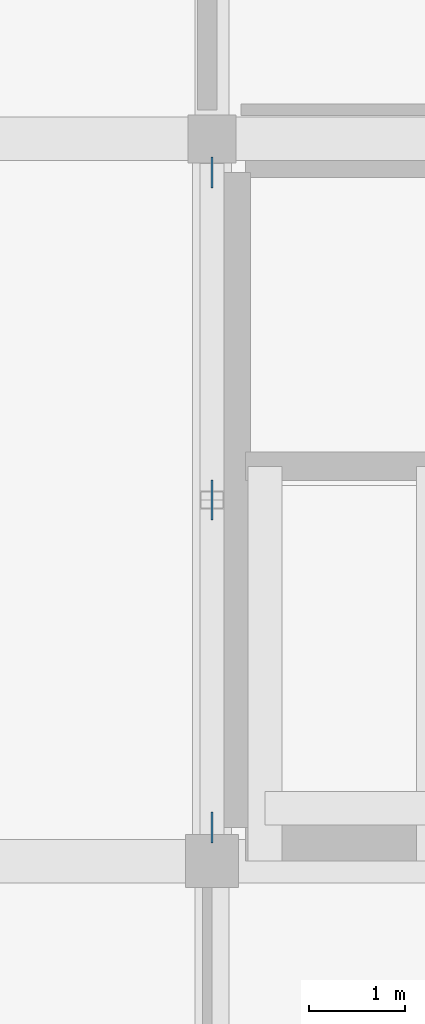
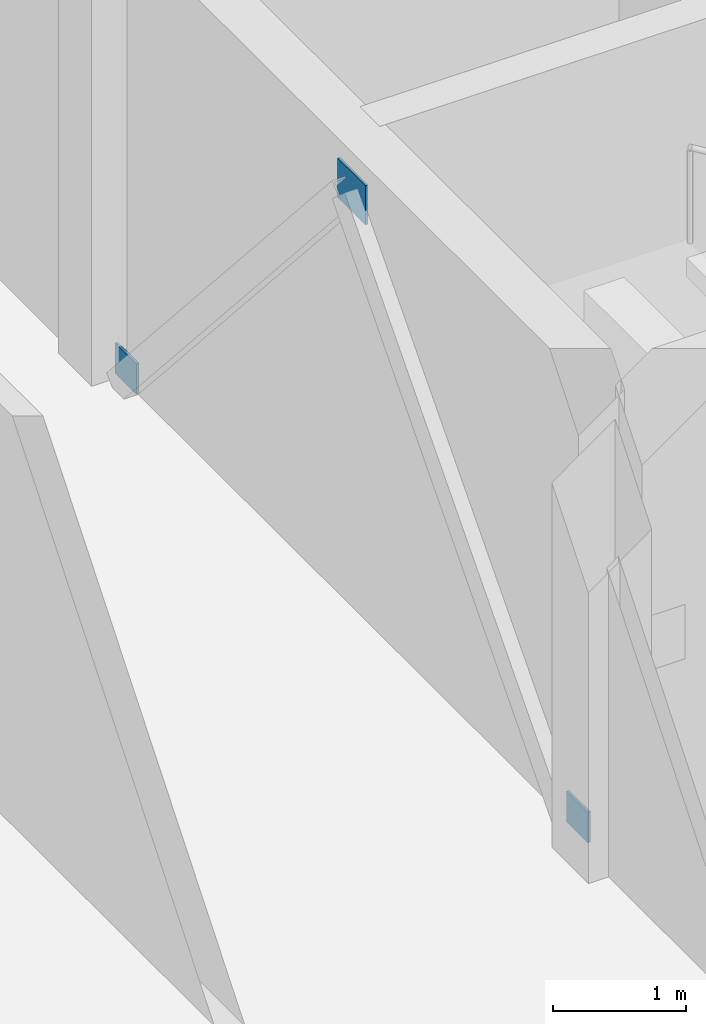
# One storey, part 94 of 128: 3 plates.
"""IFC4 building model written with IfcOpenShell, lengths in metres."""

from ifc_helpers import new_model, si_unit, direction, frame, origin, origin_2d, place, context, subcontext, project, spatial, rectangle, extrude, material, layer, layer_set, type_object, element, save


model = new_model("IFC4")

# Units and contexts
model_context = context("Model", 3, precision=1e-05, world=origin(), true_north=direction((0.0, 1.0)))
body_context = subcontext(model_context, "Body", "Model", "MODEL_VIEW")
ifc_project = project(units=[si_unit("LENGTHUNIT", "METRE"), si_unit("AREAUNIT", "SQUARE_METRE"), si_unit("VOLUMEUNIT", "CUBIC_METRE"), si_unit("PLANEANGLEUNIT", "RADIAN"), si_unit("MASSUNIT", "GRAM", prefix="KILO")], contexts=[model_context])

# Site, building, storey
site_placement = place(None, origin())
site = spatial("IfcSite", under=ifc_project, at=site_placement, CompositionType="ELEMENT")
building_placement = place(site_placement, origin())
building = spatial("IfcBuilding", under=site, at=building_placement, Name="Dalvernix Boulevard General Hospital", CompositionType="ELEMENT")
storey_placement = place(building_placement, frame((0.0, 0.0, 4.800048828125)))
storey = spatial("IfcBuildingStorey", under=building, at=storey_placement, Name="L01", CompositionType="ELEMENT", Elevation=4.800048828125)

# Plates
ifc_material = material(Name="Steel S355", Category="steel")
ifc_layer = layer(ifc_material, 0.031982421875)
ifc_layer_set = layer_set([ifc_layer], Name="Steel S355 (PLT-NP-04)")
plate_type = type_object("IfcPlateType", Name="PLT-NP-04", PredefinedType="SHEET", material=ifc_layer_set)
plate_placement = place(storey_placement, frame((157.5, 42.75, 3.64990234375), z_axis=(0.0, 0.0, 1.0), x_axis=(0.0, 1.0, 0.0)))
element("IfcPlate", 1, at=plate_placement, inside=storey, type_object=plate_type, Name="L01 brace apex gusset plate 3", PredefinedType="SHEET", context=body_context, shape_type="SweptSolid", body=[
    extrude(rectangle(XDim=0.419921875, YDim=0.02392578125, at=origin_2d()), origin(), (0.0, 0.0, 1.0), 0.360107421875),
])
for number, where, z_axis, x_axis, name in (
    (2, (157.5, 39.35009765625, 0.0), (0.0, 0.0, 1.0), (0.0, 1.0, 0.0), "L01 brace base gusset plate 3S"),
    (3, (157.5, 46.14990234375, 0.0), (0.0, 0.0, 1.0), (0.0, 1.0, 0.0), "L01 brace base gusset plate 3N"),
):
    element("IfcPlate", number, at=place(storey_placement, frame(where, z_axis=z_axis, x_axis=x_axis)), inside=storey, type_object=plate_type, Name=name, PredefinedType="SHEET", context=body_context, shape_type="SweptSolid", body=[
        extrude(rectangle(XDim=0.320068359375, YDim=0.02392578125, at=origin_2d()), origin(), (0.0, 0.0, 1.0), 0.280029296875),
    ])

save(model, "model.ifc")
